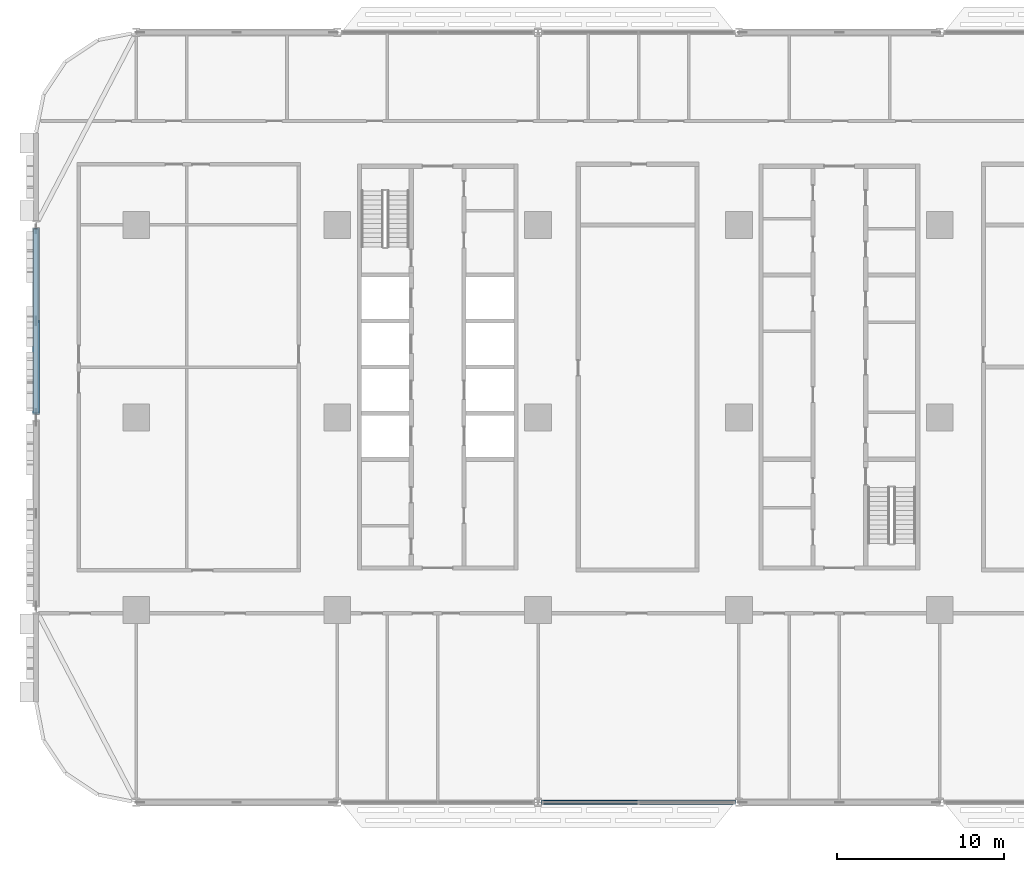
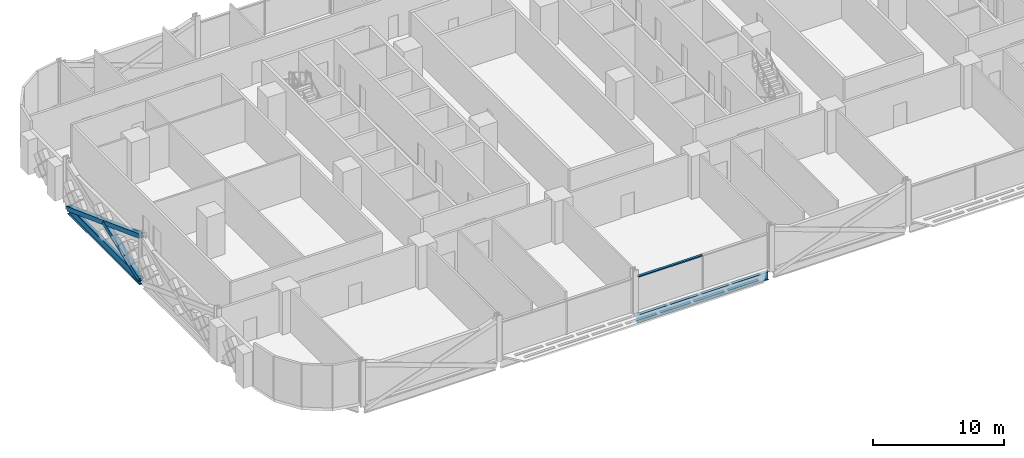
# One storey, part 3 of 27: 3 members, 2 beams, 1 element without a shape of its own.
"""IFC4 building model written with IfcOpenShell, lengths in metres."""

from ifc_helpers import new_model, si_unit, direction, frame, origin, origin_2d, place, context, subcontext, project, spatial, rectangle, hollow_rectangle, i_section, extrude, material, material_profile, profile_set, type_object, element, aggregate, save


model = new_model("IFC4")

# Units and contexts
model_context = context("Model", 3, precision=1e-05, world=origin(), true_north=direction((0.0, 1.0)))
body_context = subcontext(model_context, "Body", "Model", "MODEL_VIEW")
ifc_project = project(units=[si_unit("LENGTHUNIT", "METRE"), si_unit("AREAUNIT", "SQUARE_METRE"), si_unit("VOLUMEUNIT", "CUBIC_METRE"), si_unit("PLANEANGLEUNIT", "RADIAN"), si_unit("MASSUNIT", "GRAM", prefix="KILO")], contexts=[model_context])

# Site, building, storey
site_placement = place(None, origin())
site = spatial("IfcSite", under=ifc_project, at=site_placement, CompositionType="ELEMENT")
building_placement = place(site_placement, origin())
building = spatial("IfcBuilding", under=site, at=building_placement, Name="Mahtab Terrace Research Tower", CompositionType="ELEMENT")
storey_placement = place(building_placement, frame((0.0, 0.0, 28.699951171875)))
storey = spatial("IfcBuildingStorey", under=building, at=storey_placement, Name="L06", CompositionType="ELEMENT", Elevation=28.699951171875)

# Members
ifc_material_1 = material(Name="Steel ASTM A500 Gr C", Category="steel")
ifc_material_profile_1 = material_profile(ifc_material_1, hollow_rectangle(XDim=0.406494140625, YDim=0.406494140625, WallThickness=0.01904296875, at=origin_2d()), Name="HSS16X16X3/4")
ifc_profile_set_1 = profile_set([ifc_material_profile_1], Name="Steel ASTM A500 Gr C")
member_type_1 = type_object("IfcMemberType", Name="HSS 16x16x3/4 brace XB161634", PredefinedType="BRACE", material=ifc_profile_set_1)
member_1_placement = place(storey_placement, frame((-48.0, 11.251220703125, -0.625244140625), z_axis=(0.0, -0.936668691391, 0.350216736563), x_axis=(1.0, 0.0, 0.0)))
element("IfcMember", 1, at=member_1_placement, inside=storey, type_object=member_type_1, Name="Exoskeleton brace L06 09 a", PredefinedType="BRACE", context=body_context, shape_type="SweptSolid", body=[
    extrude(hollow_rectangle(XDim=0.406494140625, YDim=0.406494140625, WallThickness=0.01904296875, at=origin_2d()), origin(), (0.0, 0.0, 1.0), 11.746337890625),
])
member_2_placement = place(storey_placement, frame((-48.0, 0.248779296875, -0.625244140625), z_axis=(0.0, 0.936668691391, 0.350216736563), x_axis=(-1.0, 0.0, 0.0)))
element("IfcMember", 2, at=member_2_placement, inside=storey, type_object=member_type_1, Name="Exoskeleton brace L06 09 b1", PredefinedType="BRACE", context=body_context, shape_type="SweptSolid", body=[
    extrude(hollow_rectangle(XDim=0.406494140625, YDim=0.406494140625, WallThickness=0.01904296875, at=origin_2d()), origin(), (0.0, 0.0, 1.0), 5.873291015625),
])

# Curtain wall, member
ifc_material_2 = material(Name="Laboratory ribbon curtain wall")
curtain_wall_type = type_object("IfcCurtainWallType", Name="Laboratory ribbon curtain wall", PredefinedType="NOTDEFINED", material=ifc_material_2)
curtain_wall_placement = place(storey_placement, origin())
curtain_wall = element("IfcCurtainWall", 3, at=curtain_wall_placement, inside=storey, type_object=curtain_wall_type, Name="EN.L06.13.24", PredefinedType="NOTDEFINED")
ifc_material_3 = material(Name="Natural anodised aluminium", Category="aluminium")
ifc_material_profile_2 = material_profile(ifc_material_3, rectangle(XDim=0.199951171875, YDim=0.10009765625, at=origin_2d()), Name="TRANSOM 100x200")
ifc_profile_set_2 = profile_set([ifc_material_profile_2], Name="Natural anodised aluminium")
member_type_2 = type_object("IfcMemberType", Name="Laboratory ribbon curtain wall transom", PredefinedType="USERDEFINED", material=ifc_profile_set_2)
member_3_placement = place(storey_placement, frame((-17.68603515625, -23.0, 3.153076171875), z_axis=(1.0, 0.0, 0.0), x_axis=(0.0, 1.0, 0.0)))
member_3 = element("IfcMember", 4, at=member_3_placement, type_object=member_type_2, Name="CWL-1 transom 1", ObjectType="TRANSOM", PredefinedType="USERDEFINED", context=body_context, shape_type="SweptSolid", body=[
    extrude(rectangle(XDim=0.199951171875, YDim=0.10009765625, at=origin_2d()), origin(), (0.0, 0.0, 1.0), 5.653564453125),
])
aggregate(curtain_wall, [member_3])

# Beams
ifc_material_4 = material(Name="Steel ASTM A992 Gr 50", Category="steel")
ifc_material_profile_3 = material_profile(ifc_material_4, i_section(OverallWidth=0.2666015625, OverallDepth=0.7568359375, WebThickness=0.013916015625, FlangeThickness=0.019287109375, at=origin_2d()), Name="W30X108")
ifc_profile_set_3 = profile_set([ifc_material_profile_3], Name="Steel ASTM A992 Gr 50")
beam_type = type_object("IfcBeamType", Name="W30x108 beam BS30108", PredefinedType="BEAM", material=ifc_profile_set_3)
beam_1_placement = place(storey_placement, frame((-48.0, 11.251220703125, -0.718505859375), z_axis=(0.0, -1.0, 0.0), x_axis=(1.0, 0.0, 0.0)))
element("IfcBeam", 5, at=beam_1_placement, inside=storey, type_object=beam_type, Name="Spandrel beam L06 09", PredefinedType="BEAM", context=body_context, shape_type="SweptSolid", body=[
    extrude(i_section(OverallWidth=0.2666015625, OverallDepth=0.7568359375, WebThickness=0.013916015625, FlangeThickness=0.019287109375, at=origin_2d()), origin(), (0.0, 0.0, 1.0), 11.00244140625),
])
beam_2_placement = place(storey_placement, frame((-17.7841796875, -23.0, -0.718505859375), z_axis=(1.0, 0.0, 0.0), x_axis=(0.0, 1.0, 0.0)))
element("IfcBeam", 6, at=beam_2_placement, inside=storey, type_object=beam_type, Name="Spandrel beam L06 14", PredefinedType="BEAM", context=body_context, shape_type="SweptSolid", body=[
    extrude(i_section(OverallWidth=0.2666015625, OverallDepth=0.7568359375, WebThickness=0.013916015625, FlangeThickness=0.019287109375, at=origin_2d()), origin(), (0.0, 0.0, 1.0), 11.568359375),
])

save(model, "model.ifc")
